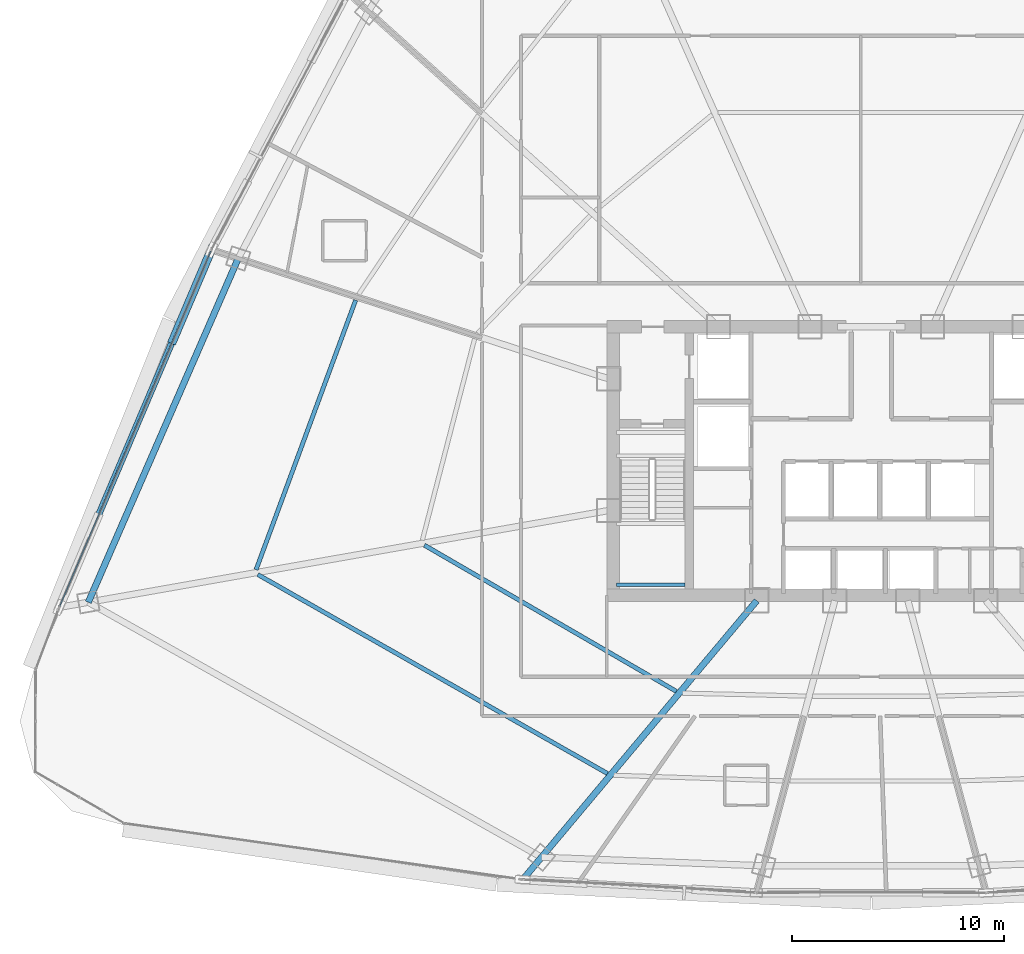
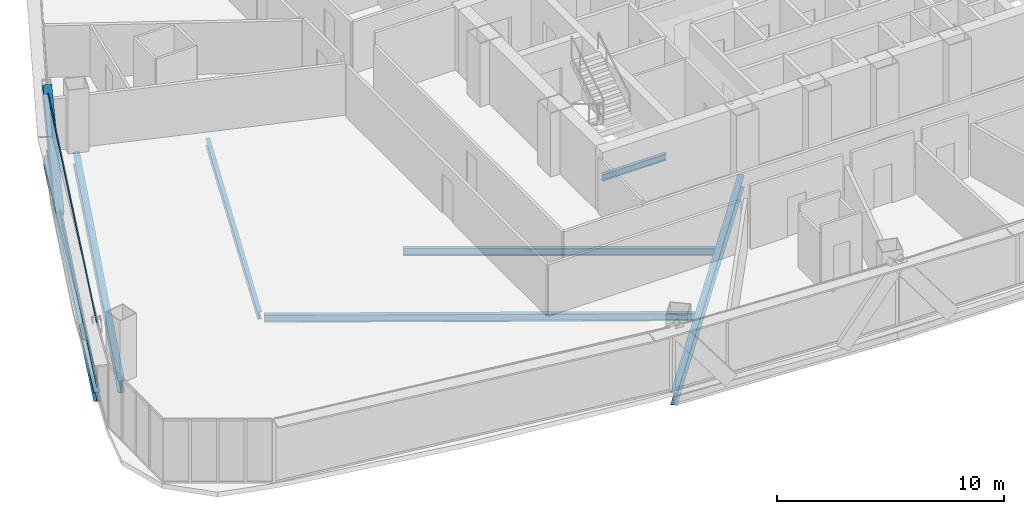
# One storey, part 7 of 41: 7 beams, 3 members, 1 element without a shape of its own.
"""IFC4 building model written with IfcOpenShell, lengths in metres."""

import ifcopenshell
import ifcopenshell.guid

model = None  # the IFC model being written
_history = None  # IfcOwnerHistory: only IFC2X3 demands one
_inside = {}  # id of a spatial element -> (the spatial element, [elements in it])
_under = {}  # id of a project, library or spatial element -> (it, [spatial elements below it])
_declared = {}  # id of a project -> (the project, [libraries it declares])
_typed = {}  # id of a type object -> (the type object, [elements of that type])
_made_of = {}  # id of a material, layer set ... -> (it, [elements and type objects made of it])


def new_model(schema):
    """Start an empty IFC model of exactly this schema.

    Asked for "IFC4X3", IfcOpenShell would pick the latest addendum, in which some entities
    have other attributes; the version numbers below select the first issue.
    IFC2X3 requires an IfcOwnerHistory on every rooted entity: one is made here for all.
    """
    global model, _history
    if schema == "IFC4X3":
        model = ifcopenshell.file(schema_version=(4, 3, 0, 0))
    else:
        model = ifcopenshell.file(schema=schema)
    _inside.clear()
    _under.clear()
    _declared.clear()
    _typed.clear()
    _made_of.clear()
    _history = None
    if model.schema == "IFC2X3":
        org = make("IfcOrganization", Name="unknown")
        user = make(
            "IfcPersonAndOrganization",
            ThePerson=make("IfcPerson", FamilyName="unknown"),
            TheOrganization=org,
        )
        app = make(
            "IfcApplication",
            ApplicationDeveloper=org,
            Version="unknown",
            ApplicationFullName="unknown",
            ApplicationIdentifier="unknown",
        )
        _history = make(
            "IfcOwnerHistory",
            OwningUser=user,
            OwningApplication=app,
            ChangeAction="ADDED",
            CreationDate=0,
        )
    return model


def make(cls, **values):
    """One entity of the class cls with the attributes given. An attribute that is None is left unset."""
    return model.create_entity(
        cls, **{name: value for name, value in values.items() if value is not None}
    )


def rooted(cls, **values):
    """An entity with a GlobalId (a new one), such as an element, a storey or a relation."""
    return make(cls, GlobalId=ifcopenshell.guid.new(), OwnerHistory=_history, **values)


def si_unit(unit_type, name, prefix=None):
    """IfcSIUnit, for example si_unit("LENGTHUNIT", "METRE", prefix="MILLI")."""
    return make("IfcSIUnit", UnitType=unit_type, Prefix=prefix, Name=name)


def assignment(units):
    """IfcUnitAssignment: the units of a project."""
    return None if units is None else make("IfcUnitAssignment", Units=units)


def point(xyz):
    """IfcCartesianPoint."""
    return None if xyz is None else make("IfcCartesianPoint", Coordinates=xyz)


def direction(xyz):
    """IfcDirection."""
    return None if xyz is None else make("IfcDirection", DirectionRatios=xyz)


def frame(location, z_axis=None, x_axis=None):
    """IfcAxis2Placement3D, a coordinate frame: its origin and axes. An axis left out is left unset."""
    return make(
        "IfcAxis2Placement3D",
        Location=point(location),
        Axis=direction(z_axis),
        RefDirection=direction(x_axis),
    )


def frame_2d(location, x_axis=None):
    """IfcAxis2Placement2D, a coordinate frame in the plane: its origin and x axis."""
    return make(
        "IfcAxis2Placement2D", Location=point(location), RefDirection=direction(x_axis)
    )


def origin():
    """The frame at (0, 0, 0) with its axes left unset."""
    return frame((0.0, 0.0, 0.0))


def origin_2d():
    """The frame at (0, 0) in the plane with its x axis left unset."""
    return frame_2d((0.0, 0.0))


def place(relative_to, where):
    """IfcLocalPlacement: puts the frame where relative to a parent placement (None: the world)."""
    return make(
        "IfcLocalPlacement", PlacementRelTo=relative_to, RelativePlacement=where
    )


def context(
    kind, dimensions, precision=None, world=None, true_north=None, identifier=None
):
    """IfcGeometricRepresentationContext, for example the 3D "Model" context."""
    return make(
        "IfcGeometricRepresentationContext",
        ContextIdentifier=identifier,
        ContextType=kind,
        CoordinateSpaceDimension=dimensions,
        Precision=precision,
        WorldCoordinateSystem=world,
        TrueNorth=true_north,
    )


def subcontext(parent, identifier, kind, view, scale=None):
    """IfcGeometricRepresentationSubContext, for example "Body" below "Model"."""
    return make(
        "IfcGeometricRepresentationSubContext",
        ContextIdentifier=identifier,
        ContextType=kind,
        ParentContext=parent,
        TargetScale=scale,
        TargetView=view,
    )


def project(units=None, contexts=None):
    """IfcProject with its units and contexts."""
    return rooted(
        "IfcProject",
        Name="project",
        RepresentationContexts=contexts,
        UnitsInContext=assignment(units),
    )


def spatial(cls, under=None, at=None, **own):
    """A site, building, storey or space (cls), placed at a placement, below another one or the project."""
    s = rooted(cls, ObjectPlacement=at, **own)
    if under is not None:
        _under.setdefault(under.id(), (under, []))[1].append(s)
    return s


def profile(cls, at=None, kind="AREA", **sizes):
    """A parametric profile (cls). Its sizes go by their IFC names, for example OverallWidth=200.0."""
    return make(cls, ProfileType=kind, Position=at, **sizes)


def hollow_rectangle(**sizes):
    """IfcRectangleHollowProfileDef."""
    return profile("IfcRectangleHollowProfileDef", **sizes)


def i_section(**sizes):
    """IfcIShapeProfileDef."""
    return profile("IfcIShapeProfileDef", **sizes)


def extrude(swept, where, along, depth):
    """IfcExtrudedAreaSolid: the profile swept, set in the frame where, extruded along a direction by depth."""
    return make(
        "IfcExtrudedAreaSolid",
        SweptArea=swept,
        Position=where,
        ExtrudedDirection=direction(along),
        Depth=depth,
    )


def shape(context_of_items, identifier, shape_type, items):
    """IfcShapeRepresentation: the items that make up one representation, for example the "Body"."""
    return make(
        "IfcShapeRepresentation",
        ContextOfItems=context_of_items,
        RepresentationIdentifier=identifier,
        RepresentationType=shape_type,
        Items=items,
    )


def source(mapping_origin, context_of_items, identifier, shape_type, items):
    """IfcRepresentationMap: a shape defined once, which mapped items show again and again."""
    return make(
        "IfcRepresentationMap",
        MappingOrigin=mapping_origin,
        MappedRepresentation=shape(context_of_items, identifier, shape_type, items),
    )


def transform(
    local_origin,
    x_axis=None,
    y_axis=None,
    z_axis=None,
    scale=None,
    scale2=None,
    scale3=None,
    uniform=True,
):
    """IfcCartesianTransformationOperator3D, or its non-uniform kind. x_axis, y_axis, z_axis: its Axis1, 2, 3."""
    if uniform:
        return make(
            "IfcCartesianTransformationOperator3D",
            Axis1=direction(x_axis),
            Axis2=direction(y_axis),
            LocalOrigin=point(local_origin),
            Scale=scale,
            Axis3=direction(z_axis),
        )
    return make(
        "IfcCartesianTransformationOperator3DnonUniform",
        Axis1=direction(x_axis),
        Axis2=direction(y_axis),
        LocalOrigin=point(local_origin),
        Scale=scale,
        Axis3=direction(z_axis),
        Scale2=scale2,
        Scale3=scale3,
    )


def mapped(mapping_source, mapping_target):
    """IfcMappedItem: shows the shape of a source again, moved by a transform."""
    return make(
        "IfcMappedItem", MappingSource=mapping_source, MappingTarget=mapping_target
    )


def material(Name=None, Category=None):
    """IfcMaterial."""
    return make("IfcMaterial", Name=Name, Category=Category)


def layer(
    of_material, thickness, ventilated=None, Name=None, Category=None, Priority=None
):
    """IfcMaterialLayer: one layer of a wall or slab, of a material (None: an air gap)."""
    return make(
        "IfcMaterialLayer",
        Material=of_material,
        LayerThickness=thickness,
        IsVentilated=ventilated,
        Name=Name,
        Category=Category,
        Priority=Priority,
    )


def layer_set(layers, Name=None):
    """IfcMaterialLayerSet."""
    return make("IfcMaterialLayerSet", MaterialLayers=layers, LayerSetName=Name)


def material_profile(
    of_material, cross_section, Name=None, Category=None, Priority=None
):
    """IfcMaterialProfile: a cross section and its material."""
    return make(
        "IfcMaterialProfile",
        Name=Name,
        Material=of_material,
        Profile=cross_section,
        Priority=Priority,
        Category=Category,
    )


def profile_set(profiles, Name=None, composite=None):
    """IfcMaterialProfileSet."""
    return make(
        "IfcMaterialProfileSet",
        Name=Name,
        MaterialProfiles=profiles,
        CompositeProfile=composite,
    )


def made_of(thing, what):
    """Note that an element or type object is made of a material, layer set ...; save() writes the relation."""
    if what is not None:
        _made_of.setdefault(what.id(), (what, []))[1].append(thing)
    return thing


def type_object(cls, material=None, **own):
    """A type object (cls), such as IfcWallType, which elements share."""
    return made_of(rooted(cls, **own), material)


def element(
    cls,
    number,
    at=None,
    inside=None,
    cuts=None,
    type_object=None,
    material=None,
    context=None,
    identifier="Body",
    shape_type=None,
    held_by="IfcProductDefinitionShape",
    body=None,
    shapes=None,
    **own,
):
    """One element of the class cls, such as IfcWall. Its Tag is "e" and its number.

    at: its placement. inside: the storey or other place that contains it. cuts: it is an
    opening in that element (IfcRelVoidsElement). A single representation is given by context,
    identifier, shape_type and body (its items); several are given by shapes. held_by: the class
    of the entity that holds the representations. save() writes the other relations.
    """
    e = rooted(cls, Tag="e%d" % number, ObjectPlacement=at, **own)
    if body is not None:
        shapes = [shape(context, identifier, shape_type, body)]
    if shapes is not None:
        e.Representation = make(held_by, Representations=shapes)
    if inside is not None:
        _inside.setdefault(inside.id(), (inside, []))[1].append(e)
    if cuts is not None:
        rooted(
            "IfcRelVoidsElement", RelatingBuildingElement=cuts, RelatedOpeningElement=e
        )
    if type_object is not None:
        _typed.setdefault(type_object.id(), (type_object, []))[1].append(e)
    return made_of(e, material)


def aggregate(whole, parts):
    """IfcRelAggregates: a whole, such as a stair, and the parts it consists of."""
    return rooted("IfcRelAggregates", RelatingObject=whole, RelatedObjects=parts)


def save(model, path):
    """Write the relations noted so far, then the file.

    IfcRelAggregates (storeys below a building ...), IfcRelContainedInSpatialStructure (elements
    in a storey), IfcRelDefinesByType, IfcRelAssociatesMaterial and IfcRelDeclares: one each for
    every whole, place, type object, material and project.
    """
    for whole, parts in _under.values():
        aggregate(whole, parts)
    for where, things in _inside.values():
        rooted(
            "IfcRelContainedInSpatialStructure",
            RelatedElements=things,
            RelatingStructure=where,
        )
    for kind, things in _typed.values():
        rooted("IfcRelDefinesByType", RelatedObjects=things, RelatingType=kind)
    for what, things in _made_of.values():
        rooted("IfcRelAssociatesMaterial", RelatedObjects=things, RelatingMaterial=what)
    for by, libraries in _declared.values():
        rooted("IfcRelDeclares", RelatingContext=by, RelatedDefinitions=libraries)
    model.write(path)


model = new_model("IFC4")

# Units and contexts
model_context = context("Model", 3, precision=1e-05, world=origin(), true_north=direction((0.0, 1.0)))
body_context = subcontext(model_context, "Body", "Model", "MODEL_VIEW")
ifc_project = project(units=[si_unit("LENGTHUNIT", "METRE"), si_unit("AREAUNIT", "SQUARE_METRE"), si_unit("VOLUMEUNIT", "CUBIC_METRE"), si_unit("PLANEANGLEUNIT", "RADIAN"), si_unit("MASSUNIT", "GRAM", prefix="KILO"), si_unit("THERMODYNAMICTEMPERATUREUNIT", "KELVIN"), si_unit("POWERUNIT", "WATT")], contexts=[model_context])

# Site, building, storey
site_placement = place(None, origin())
site = spatial("IfcSite", under=ifc_project, at=site_placement, CompositionType="ELEMENT")
building_placement = place(site_placement, origin())
building = spatial("IfcBuilding", under=site, at=building_placement, Name="Yunzhuo Pagoda Commons", CompositionType="ELEMENT")
storey_placement = place(building_placement, frame((0.0, 0.0, 155.590087890625)))
storey = spatial("IfcBuildingStorey", under=building, at=storey_placement, Name="L39", CompositionType="ELEMENT", Elevation=155.590087890625)

# Beams
ifc_material_1 = material(Name="Structural steel Q355B", Category="steel")
ifc_material_profile_1 = material_profile(ifc_material_1, i_section(OverallWidth=0.175048828125, OverallDepth=0.35009765625, WebThickness=0.007080078125, FlangeThickness=0.010986328125, at=origin_2d()), Name="Structural steel Q355B")
ifc_profile_set_1 = profile_set([ifc_material_profile_1], Name="Structural steel Q355B")
beam_type_1 = type_object("IfcBeamType", Name="B-JS2 Joist HN 350x175x7x11", PredefinedType="JOIST", material=ifc_profile_set_1)
shared_shape_1 = source(origin(), body_context, "Body", "SweptSolid", [
    extrude(i_section(OverallWidth=0.175048828125, OverallDepth=0.35009765625, WebThickness=0.007080078125, FlangeThickness=0.010986328125, at=origin_2d()), origin(), (0.0, 0.0, 1.0), 3.25),
])
beam_1_placement = place(storey_placement, frame((35.949951171875, 28.0, 1.46484375), z_axis=(1.0, 0.0, 0.0), x_axis=(0.0, 1.0, 0.0)))
element("IfcBeam", 1, at=beam_1_placement, inside=storey, type_object=beam_type_1, Name="L39 ST1 landing support beam 45A", PredefinedType="JOIST", context=body_context, shape_type="MappedRepresentation", body=[
    mapped(shared_shape_1, transform((0.0, 0.0, 0.0), scale=1.0)),
])
ifc_material_profile_2 = material_profile(ifc_material_1, i_section(OverallWidth=0.199951171875, OverallDepth=0.39990234375, WebThickness=0.008056640625, FlangeThickness=0.012939453125, at=origin_2d()), Name="Structural steel Q355B")
ifc_profile_set_2 = profile_set([ifc_material_profile_2], Name="Structural steel Q355B")
beam_type_2 = type_object("IfcBeamType", Name="B-JS1 Joist HN 400x200x8x13", PredefinedType="JOIST", material=ifc_profile_set_2)
shared_shape_2 = source(origin(), body_context, "Body", "SweptSolid", [
    extrude(i_section(OverallWidth=0.199951171875, OverallDepth=0.39990234375, WebThickness=0.008056640625, FlangeThickness=0.012939453125, at=origin_2d()), origin(), (0.0, 0.0, 1.0), 13.76416015625),
])
beam_2_placement = place(storey_placement, frame((26.882568359375, 29.87255859375, -0.460205078125), z_axis=(0.864967288101, -0.501828248025, 0.0), x_axis=(0.501828248025, 0.864967288101, 0.0)))
element("IfcBeam", 2, at=beam_2_placement, inside=storey, type_object=beam_type_2, Name="L39 composite ring joist 1.12", PredefinedType="JOIST", context=body_context, shape_type="MappedRepresentation", body=[
    mapped(shared_shape_2, transform((0.0, 0.0, 0.0), scale=1.0)),
])
shared_shape_3 = source(origin(), body_context, "Body", "SweptSolid", [
    extrude(i_section(OverallWidth=0.199951171875, OverallDepth=0.39990234375, WebThickness=0.008056640625, FlangeThickness=0.012939453125, at=origin_2d()), origin(), (0.0, 0.0, 1.0), 19.007568359375),
])
beam_3_placement = place(storey_placement, frame((19.01220703125, 28.485595703125, -0.460205078125), z_axis=(0.869119947472, -0.494601371718, 0.0), x_axis=(0.494601371718, 0.869119947472, 0.0)))
element("IfcBeam", 3, at=beam_3_placement, inside=storey, type_object=beam_type_2, Name="L39 composite ring joist 2.12", PredefinedType="JOIST", context=body_context, shape_type="MappedRepresentation", body=[
    mapped(shared_shape_3, transform((0.0, 0.0, 0.0), scale=1.0)),
])
ifc_material_profile_3 = material_profile(ifc_material_1, i_section(OverallWidth=0.300048828125, OverallDepth=0.64990234375, WebThickness=0.012939453125, FlangeThickness=0.02197265625, at=origin_2d()), Name="Structural steel Q355B")
ifc_profile_set_3 = profile_set([ifc_material_profile_3], Name="Structural steel Q355B")
beam_type_3 = type_object("IfcBeamType", Name="B-RG2 Beam HN 650x300x13x22", PredefinedType="BEAM", material=ifc_profile_set_3)
shared_shape_4 = source(origin(), body_context, "Body", "SweptSolid", [
    extrude(i_section(OverallWidth=0.300048828125, OverallDepth=0.64990234375, WebThickness=0.012939453125, FlangeThickness=0.02197265625, at=origin_2d()), origin(), (0.0, 0.0, 1.0), 17.72021484375),
])
beam_4_placement = place(storey_placement, frame((18.084716796875, 43.420166015625, -0.585205078125), z_axis=(-0.399643307961, -0.916670729544, 0.0), x_axis=(0.916670729544, -0.399643307961, 0.0)))
element("IfcBeam", 4, at=beam_4_placement, inside=storey, type_object=beam_type_3, Name="L39 column-ring beam 11", PredefinedType="BEAM", context=body_context, shape_type="MappedRepresentation", body=[
    mapped(shared_shape_4, transform((0.0, 0.0, 0.0), scale=1.0)),
])
shared_shape_5 = source(origin(), body_context, "Body", "SweptSolid", [
    extrude(i_section(OverallWidth=0.199951171875, OverallDepth=0.39990234375, WebThickness=0.008056640625, FlangeThickness=0.012939453125, at=origin_2d()), origin(), (0.0, 0.0, 1.0), 13.577880859375),
])
beam_5_placement = place(storey_placement, frame((23.634765625, 41.44970703125, -0.460205078125), z_axis=(-0.3465634723, -0.938026523968, 0.0), x_axis=(0.938026523968, -0.3465634723, 0.0)))
element("IfcBeam", 5, at=beam_5_placement, inside=storey, type_object=beam_type_2, Name="L39 composite ring joist 2.11", PredefinedType="JOIST", context=body_context, shape_type="MappedRepresentation", body=[
    mapped(shared_shape_5, transform((0.0, 0.0, 0.0), scale=1.0)),
])
shared_shape_6 = source(origin(), body_context, "Body", "SweptSolid", [
    extrude(i_section(OverallWidth=0.300048828125, OverallDepth=0.64990234375, WebThickness=0.012939453125, FlangeThickness=0.02197265625, at=origin_2d()), origin(), (0.0, 0.0, 1.0), 17.05224609375),
])
beam_6_placement = place(storey_placement, frame((31.626708984375, 14.187255859375, -0.585205078125), z_axis=(0.642795794804, 0.766037574916, 0.0), x_axis=(-0.766037574916, 0.642795794804, 0.0)))
element("IfcBeam", 6, at=beam_6_placement, inside=storey, type_object=beam_type_3, Name="L39 radial floor girder F1C1", PredefinedType="BEAM", context=body_context, shape_type="MappedRepresentation", body=[
    mapped(shared_shape_6, transform((0.0, 0.0, 0.0), scale=1.0)),
])
ifc_material_profile_4 = material_profile(ifc_material_1, i_section(OverallWidth=0.300048828125, OverallDepth=0.488037109375, WebThickness=0.010986328125, FlangeThickness=0.01806640625, at=origin_2d()), Name="Structural steel Q355B")
ifc_profile_set_4 = profile_set([ifc_material_profile_4], Name="Structural steel Q355B")
beam_type_4 = type_object("IfcBeamType", Name="B-SP1 Beam HM 488x300x11x18", PredefinedType="BEAM", material=ifc_profile_set_4)
shared_shape_7 = source(origin(), body_context, "Body", "SweptSolid", [
    extrude(i_section(OverallWidth=0.300048828125, OverallDepth=0.488037109375, WebThickness=0.010986328125, FlangeThickness=0.01806640625, at=origin_2d()), origin(), (0.0, 0.0, 1.0), 18.362548828125),
])
beam_7_placement = place(storey_placement, frame((16.817138671875, 43.831787109375, -0.50390625), z_axis=(-0.391409773714, -0.920216490312, 0.0), x_axis=(0.920216490312, -0.391409773714, 0.0)))
element("IfcBeam", 7, at=beam_7_placement, inside=storey, type_object=beam_type_4, Name="L39 facade edge spandrel beam F3.3", PredefinedType="BEAM", context=body_context, shape_type="MappedRepresentation", body=[
    mapped(shared_shape_7, transform((0.0, 0.0, 0.0), scale=1.0)),
])

# Member
ifc_material_profile_5 = material_profile(ifc_material_1, hollow_rectangle(XDim=0.39990234375, YDim=0.719970703125, WallThickness=0.02392578125, at=origin_2d()), Name="Structural steel Q355B")
ifc_profile_set_5 = profile_set([ifc_material_profile_5], Name="Structural steel Q355B")
member_type_1 = type_object("IfcMemberType", Name="M-DL2 Brace BOX 720x400x24", PredefinedType="BRACE", material=ifc_profile_set_5)
shared_shape_8 = source(origin(), body_context, "Body", "SweptSolid", [
    extrude(hollow_rectangle(XDim=0.39990234375, YDim=0.719970703125, WallThickness=0.02392578125, at=origin_2d()), origin(), (0.0, 0.0, 1.0), 5.883544921875),
])
member_1_placement = place(storey_placement, frame((15.0205078125, 39.607421875, -0.260009765625), z_axis=(0.305370042865, 0.718007589577, 0.625471212951), x_axis=(-0.920230856435, 0.391375996793, 0.0)))
element("IfcMember", 8, at=member_1_placement, inside=storey, type_object=member_type_1, Name="L39 facade diamond brace F3.3L", PredefinedType="BRACE", context=body_context, shape_type="MappedRepresentation", body=[
    mapped(shared_shape_8, transform((0.0, 0.0, 0.0), scale=1.0)),
])

# Curtain wall, members
ifc_material_2 = material(Name="Anodized aluminium 6063-T6", Category="aluminium")
ifc_layer = layer(ifc_material_2, 0.14990234375)
ifc_layer_set = layer_set([ifc_layer], Name="Anodized aluminium 6063-T6")
curtain_wall_type = type_object("IfcCurtainWallType", Name="CW-MID Mid-Zone Ribbon Curtain Wall", PredefinedType="NOTDEFINED", material=ifc_layer_set)
curtain_wall_placement = place(storey_placement, origin())
curtain_wall = element("IfcCurtainWall", 9, at=curtain_wall_placement, inside=storey, type_object=curtain_wall_type, Name="L39 curtain wall CW-L39-F3B4", PredefinedType="NOTDEFINED")
ifc_material_profile_6 = material_profile(ifc_material_2, hollow_rectangle(XDim=0.054931640625, YDim=0.1298828125, WallThickness=0.00341796875, at=origin_2d()), Name="Anodized aluminium 6063-T6")
ifc_profile_set_6 = profile_set([ifc_material_profile_6], Name="Anodized aluminium 6063-T6")
member_type_2 = type_object("IfcMemberType", Name="CW-MID-T Transom RHS 130x55x3.5", PredefinedType="USERDEFINED", material=ifc_profile_set_6)
shared_shape_9 = source(origin(), body_context, "Body", "SweptSolid", [
    extrude(hollow_rectangle(XDim=0.054931640625, YDim=0.1298828125, WallThickness=0.00341796875, at=origin_2d()), origin(), (0.0, 0.0, 1.0), 18.24267578125),
])
member_2_placement = place(storey_placement, frame((16.793701171875, 43.776611328125, 0.02734375), z_axis=(-0.391412675822, -0.920215255908, 0.0), x_axis=(0.920215255908, -0.391412675822, 0.0)))
member_2 = element("IfcMember", 10, at=member_2_placement, type_object=member_type_2, Name="CW transom 1.1", ObjectType="TRANSOM", PredefinedType="USERDEFINED", context=body_context, shape_type="MappedRepresentation", body=[
    mapped(shared_shape_9, transform((0.0, 0.0, 0.0), scale=1.0)),
])
member_3_placement = place(storey_placement, frame((16.793701171875, 43.776611328125, 3.392333984375), z_axis=(-0.391412675822, -0.920215255908, 0.0), x_axis=(0.920215255908, -0.391412675822, 0.0)))
member_3 = element("IfcMember", 11, at=member_3_placement, type_object=member_type_2, Name="CW transom 1.2", ObjectType="TRANSOM", PredefinedType="USERDEFINED", context=body_context, shape_type="MappedRepresentation", body=[
    mapped(shared_shape_9, transform((0.0, 0.0, 0.0), scale=1.0)),
])
aggregate(curtain_wall, [member_2, member_3])

save(model, "model.ifc")
